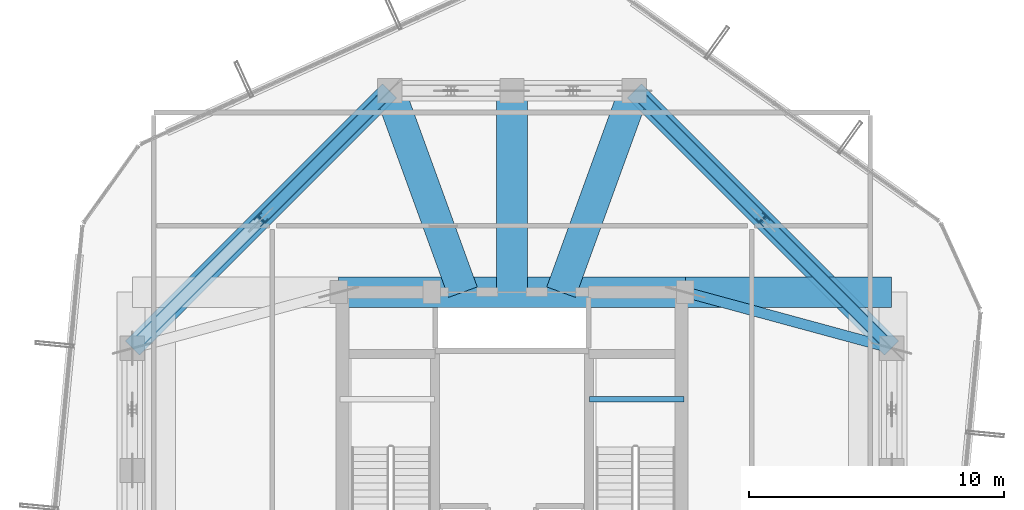
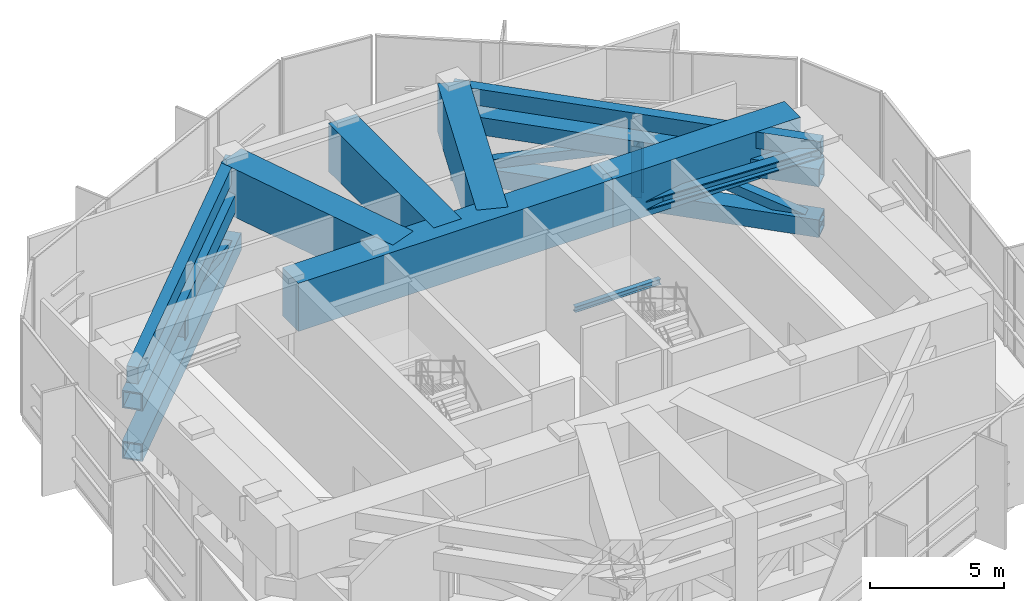
# One storey, part 15 of 31: 10 members, 8 beams.
"""IFC4 building model written with IfcOpenShell, lengths in metres."""

from ifc_helpers import new_model, si_unit, direction, frame, origin, origin_2d, place, context, subcontext, project, spatial, rectangle, hollow_rectangle, i_section, extrude, material, material_profile, profile_set, type_object, element, save


model = new_model("IFC4")

# Units and contexts
model_context = context("Model", 3, precision=1e-05, world=origin(), true_north=direction((0.0, 1.0)))
body_context = subcontext(model_context, "Body", "Model", "MODEL_VIEW")
ifc_project = project(units=[si_unit("LENGTHUNIT", "METRE"), si_unit("AREAUNIT", "SQUARE_METRE"), si_unit("VOLUMEUNIT", "CUBIC_METRE"), si_unit("PLANEANGLEUNIT", "RADIAN"), si_unit("MASSUNIT", "GRAM", prefix="KILO")], contexts=[model_context])

# Site, building, storey
site_placement = place(None, origin())
site = spatial("IfcSite", under=ifc_project, at=site_placement, CompositionType="ELEMENT")
building_placement = place(site_placement, origin())
building = spatial("IfcBuilding", under=site, at=building_placement, Name="Veraguas Prism Commons", CompositionType="ELEMENT")
storey_placement = place(building_placement, frame((0.0, 0.0, 225.39990234375)))
storey = spatial("IfcBuildingStorey", under=building, at=storey_placement, Name="L64", CompositionType="ELEMENT", Elevation=225.39990234375)

# Members
ifc_material_1 = material(Name="Steel ASTM A913 Grade 65", Category="steel")
ifc_material_profile_1 = material_profile(ifc_material_1, hollow_rectangle(XDim=0.800048828125, YDim=0.800048828125, WallThickness=0.06005859375, at=origin_2d()), Name="BOX800X800X60")
ifc_profile_set_1 = profile_set([ifc_material_profile_1], Name="Steel ASTM A913 Grade 65")
member_type_1 = type_object("IfcMemberType", Name="Belt Truss Chord L64 Box 800x800x60", PredefinedType="CHORD", material=ifc_profile_set_1)
for number, where, z_axis, x_axis, name in (
    (1, (38.89990234375, 28.800048828125, 0.550048828125), (-0.707106781187, 0.707106781187, 0.0), (-0.707106781187, -0.707106781187, 0.0), "Perimeter Belt Truss Chord Bottom L64-03"),
    (2, (38.89990234375, 28.800048828125, 2.864990234375), (-0.707106781187, 0.707106781187, 0.0), (-0.707106781187, -0.707106781187, 0.0), "Perimeter Belt Truss Chord Top L64-03"),
    (3, (19.199951171875, 38.89990234375, 0.550048828125), (-0.707106781187, -0.707106781187, 0.0), (0.707106781187, -0.707106781187, 0.0), "Perimeter Belt Truss Chord Bottom L64-06"),
    (4, (19.199951171875, 38.89990234375, 2.864990234375), (-0.707106781187, -0.707106781187, 0.0), (0.707106781187, -0.707106781187, 0.0), "Perimeter Belt Truss Chord Top L64-06"),
):
    element("IfcMember", number, at=place(storey_placement, frame(where, z_axis=z_axis, x_axis=x_axis)), inside=storey, type_object=member_type_1, Name=name, PredefinedType="CHORD", context=body_context, shape_type="SweptSolid", body=[
        extrude(hollow_rectangle(XDim=0.800048828125, YDim=0.800048828125, WallThickness=0.06005859375, at=origin_2d()), origin(), (0.0, 0.0, 1.0), 14.283447265625),
    ])
ifc_material_2 = material(Name="Steel ASTM A992 Grade 50", Category="steel")
ifc_material_profile_2 = material_profile(ifc_material_2, i_section(OverallWidth=0.39794921875, OverallDepth=0.386962890625, WebThickness=0.01904296875, FlangeThickness=0.0302734375, at=origin_2d()), Name="W360X262")
ifc_profile_set_2 = profile_set([ifc_material_profile_2], Name="Steel ASTM A992 Grade 50")
member_type_2 = type_object("IfcMemberType", Name="Belt Truss Vertical Strut W360x262", PredefinedType="STRUT", material=ifc_profile_set_2)
for number, where, z_axis, x_axis, name in (
    (5, (33.85009765625, 33.85009765625, 0.550048828125), (0.0, 0.0, 1.0), (-0.707106781187, 0.707106781187, 0.0), "Perimeter Belt Truss Strut L64-03"),
    (6, (14.14990234375, 33.85009765625, 0.550048828125), (0.0, 0.0, 1.0), (-0.707106781187, -0.707106781187, 0.0), "Perimeter Belt Truss Strut L64-06"),
):
    element("IfcMember", number, at=place(storey_placement, frame(where, z_axis=z_axis, x_axis=x_axis)), inside=storey, type_object=member_type_2, Name=name, PredefinedType="STRUT", context=body_context, shape_type="SweptSolid", body=[
        extrude(i_section(OverallWidth=0.39794921875, OverallDepth=0.386962890625, WebThickness=0.01904296875, FlangeThickness=0.0302734375, at=origin_2d()), origin(), (0.0, 0.0, 1.0), 2.31494140625),
    ])
ifc_material_profile_3 = material_profile(ifc_material_2, i_section(OverallWidth=0.408935546875, OverallDepth=0.425048828125, WebThickness=0.030517578125, FlangeThickness=0.049072265625, at=origin_2d()), Name="W360X421")
ifc_profile_set_3 = profile_set([ifc_material_profile_3], Name="Steel ASTM A992 Grade 50")
member_type_3 = type_object("IfcMemberType", Name="Outrigger Truss Diagonal W360x421", PredefinedType="BRACE", material=ifc_profile_set_3)
member_placement = place(storey_placement, frame((30.800048828125, 31.0, 2.420166015625), z_axis=(0.950476214414, -0.258152972483, 0.173066486158), x_axis=(0.262108146725, 0.965038506703, 0.0)))
element("IfcMember", 7, at=member_placement, inside=storey, type_object=member_type_3, Name="Outrigger Truss Diagonal L64-02", PredefinedType="BRACE", context=body_context, shape_type="SweptSolid", body=[
    extrude(i_section(OverallWidth=0.408935546875, OverallDepth=0.425048828125, WebThickness=0.030517578125, FlangeThickness=0.049072265625, at=origin_2d()), origin(), (0.0, 0.0, 1.0), 8.52197265625),
])

# Beams
ifc_material_3 = material(Name="Concrete C50/60", Category="concrete")
ifc_material_profile_4 = material_profile(ifc_material_3, rectangle(XDim=0.449951171875, YDim=0.75, at=origin_2d()), Name="RC450X750")
ifc_profile_set_4 = profile_set([ifc_material_profile_4], Name="Concrete C50/60")
beam_type_1 = type_object("IfcBeamType", Name="Perimeter Spandrel Upper RC 450x750", PredefinedType="SPANDREL", material=ifc_profile_set_4)
for number, where, z_axis, x_axis, name in (
    (8, (38.89990234375, 28.800048828125, 4.0400390625), (-0.707106781187, 0.707106781187, 0.0), (-0.707106781187, -0.707106781187, 0.0), "Perimeter Spandrel Beam L64-SP03"),
    (9, (19.199951171875, 38.89990234375, 4.0400390625), (-0.707106781187, -0.707106781187, 0.0), (0.707106781187, -0.707106781187, 0.0), "Perimeter Spandrel Beam L64-SP06"),
):
    element("IfcBeam", number, at=place(storey_placement, frame(where, z_axis=z_axis, x_axis=x_axis)), inside=storey, type_object=beam_type_1, Name=name, PredefinedType="SPANDREL", context=body_context, shape_type="SweptSolid", body=[
        extrude(rectangle(XDim=0.449951171875, YDim=0.75, at=origin_2d()), origin(), (0.0, 0.0, 1.0), 14.283447265625),
    ])
ifc_material_profile_5 = material_profile(ifc_material_3, rectangle(XDim=1.199951171875, YDim=2.199951171875, at=origin_2d()), Name="RC1200X2200")
ifc_profile_set_5 = profile_set([ifc_material_profile_5], Name="Concrete C50/60")
beam_type_2 = type_object("IfcBeamType", Name="Podium Transfer Girder RC 1200x2200", PredefinedType="BEAM", material=ifc_profile_set_5)
beam_1_placement = place(storey_placement, frame((17.199951171875, 31.0, 3.315185546875), z_axis=(1.0, 0.0, 0.0), x_axis=(0.0, 1.0, 0.0)))
element("IfcBeam", 10, at=beam_1_placement, inside=storey, type_object=beam_type_2, Name="Core North Transfer Girder L64", PredefinedType="BEAM", context=body_context, shape_type="SweptSolid", body=[
    extrude(rectangle(XDim=1.199951171875, YDim=2.199951171875, at=origin_2d()), origin(), (0.0, 0.0, 1.0), 13.60009765625),
])
beam_2_placement = place(storey_placement, frame((38.89990234375, 31.0, 3.315185546875), z_axis=(-1.0, 0.0, 0.0), x_axis=(0.0, -1.0, 0.0)))
element("IfcBeam", 11, at=beam_2_placement, inside=storey, type_object=beam_type_2, Name="Outrigger Transfer Girder L64-XNE", PredefinedType="BEAM", context=body_context, shape_type="SweptSolid", body=[
    extrude(rectangle(XDim=1.199951171875, YDim=2.199951171875, at=origin_2d()), origin(), (0.0, 0.0, 1.0), 8.099853515625),
])
beam_3_placement = place(storey_placement, frame((28.800048828125, 38.89990234375, 3.315185546875), z_axis=(-0.341754722855, -0.939789183491, 0.0), x_axis=(0.939789183491, -0.341754722855, 0.0)))
element("IfcBeam", 12, at=beam_3_placement, inside=storey, type_object=beam_type_2, Name="Setback Transfer Girder L64-04", PredefinedType="BEAM", context=body_context, shape_type="SweptSolid", body=[
    extrude(rectangle(XDim=1.199951171875, YDim=2.199951171875, at=origin_2d()), origin(), (0.0, 0.0, 1.0), 8.406005859375),
])
beam_4_placement = place(storey_placement, frame((24.0, 38.89990234375, 3.315185546875), z_axis=(0.0, -1.0, 0.0), x_axis=(1.0, 0.0, 0.0)))
element("IfcBeam", 13, at=beam_4_placement, inside=storey, type_object=beam_type_2, Name="Setback Transfer Girder L64-05", PredefinedType="BEAM", context=body_context, shape_type="SweptSolid", body=[
    extrude(rectangle(XDim=1.199951171875, YDim=2.199951171875, at=origin_2d()), origin(), (0.0, 0.0, 1.0), 7.89990234375),
])
beam_5_placement = place(storey_placement, frame((19.199951171875, 38.89990234375, 3.315185546875), z_axis=(0.341754722855, -0.939789183491, 0.0), x_axis=(0.939789183491, 0.341754722855, 0.0)))
element("IfcBeam", 14, at=beam_5_placement, inside=storey, type_object=beam_type_2, Name="Setback Transfer Girder L64-06", PredefinedType="BEAM", context=body_context, shape_type="SweptSolid", body=[
    extrude(rectangle(XDim=1.199951171875, YDim=2.199951171875, at=origin_2d()), origin(), (0.0, 0.0, 1.0), 8.406005859375),
])
ifc_material_profile_6 = material_profile(ifc_material_2, i_section(OverallWidth=0.202880859375, OverallDepth=0.251953125, WebThickness=0.008056640625, FlangeThickness=0.013427734375, at=origin_2d()), Name="W250X58")
ifc_profile_set_6 = profile_set([ifc_material_profile_6], Name="Steel ASTM A992 Grade 50")
beam_type_3 = type_object("IfcBeamType", Name="Structural Opening Lintel W250x58", PredefinedType="LINTEL", material=ifc_profile_set_6)
beam_6_placement = place(storey_placement, frame((27.050048828125, 26.800048828125, 1.9990234375), z_axis=(1.0, 0.0, 0.0), x_axis=(0.0, 1.0, 0.0)))
element("IfcBeam", 15, at=beam_6_placement, inside=storey, type_object=beam_type_3, Name="Stair ST-02 Half-Landing Support Beam L64-1", PredefinedType="LINTEL", context=body_context, shape_type="SweptSolid", body=[
    extrude(i_section(OverallWidth=0.202880859375, OverallDepth=0.251953125, WebThickness=0.008056640625, FlangeThickness=0.013427734375, at=origin_2d()), origin(), (0.0, 0.0, 1.0), 3.699951171875),
])

# Members
ifc_material_4 = material(Name="Steel ASTM A500 Grade C", Category="steel")
ifc_material_profile_7 = material_profile(ifc_material_4, hollow_rectangle(XDim=0.39990234375, YDim=0.39990234375, WallThickness=0.02001953125, at=origin_2d()), Name="HSS400X400X20")
ifc_profile_set_7 = profile_set([ifc_material_profile_7], Name="Steel ASTM A500 Grade C")
member_type_4 = type_object("IfcMemberType", Name="Wind Portal V-Brace HSS 400x400x20", PredefinedType="BRACE", material=ifc_profile_set_7)
for number, where, z_axis, x_axis, name in (
    (16, (38.89990234375, 28.800048828125, 0.550048828125), (-0.672635146231, 0.672667665819, 0.308350727933), (-0.707123873653, -0.707089688307, 0.0), "Perimeter Belt Truss Brace L64-03A"),
    (17, (28.800048828125, 38.89990234375, 0.550048828125), (0.672667665819, -0.672635146231, 0.308350727933), (0.707089688307, 0.707123873653, 0.0), "Perimeter Belt Truss Brace L64-03B"),
    (18, (19.199951171875, 38.89990234375, 0.550048828125), (-0.672667665819, -0.672635146231, 0.308350727933), (0.707089688307, -0.707123873653, 0.0), "Perimeter Belt Truss Brace L64-06A"),
):
    element("IfcMember", number, at=place(storey_placement, frame(where, z_axis=z_axis, x_axis=x_axis)), inside=storey, type_object=member_type_4, Name=name, PredefinedType="BRACE", context=body_context, shape_type="SweptSolid", body=[
        extrude(hollow_rectangle(XDim=0.39990234375, YDim=0.39990234375, WallThickness=0.02001953125, at=origin_2d()), origin(), (0.0, 0.0, 1.0), 7.507568359375),
    ])

save(model, "model.ifc")
